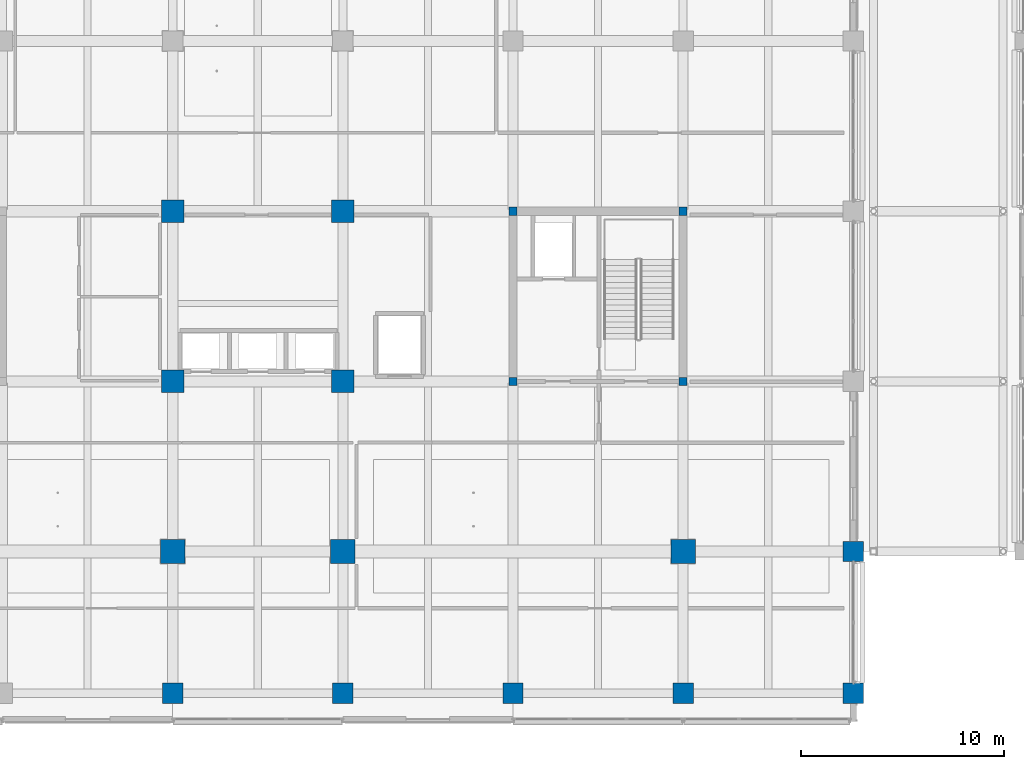
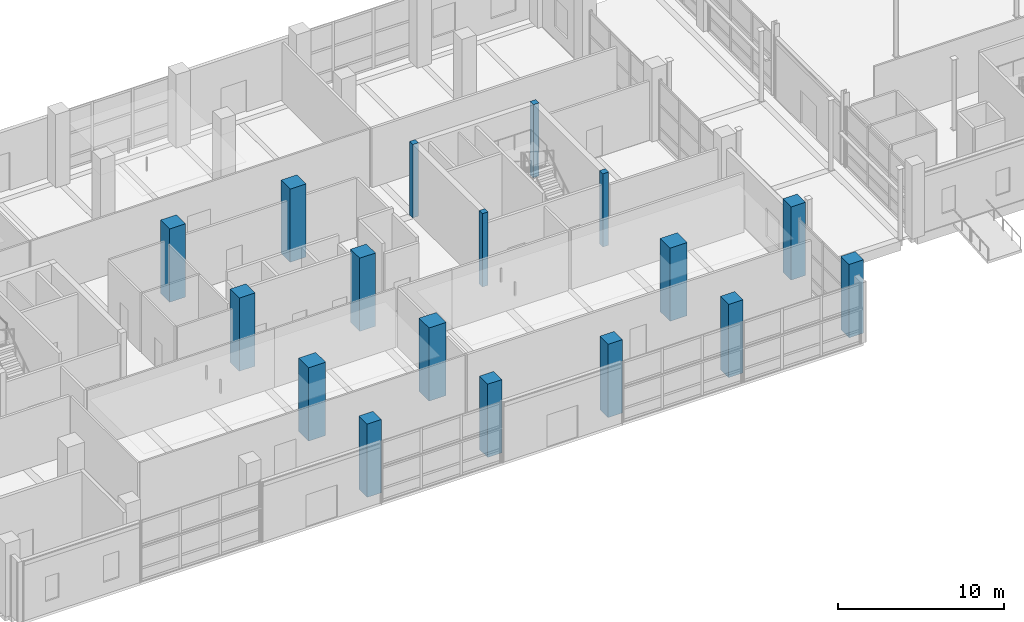
# One storey, part 7 of 140: 17 columns.
"""IFC4 building model written with IfcOpenShell, lengths in metres."""

from ifc_helpers import new_model, si_unit, direction, frame, origin, origin_2d, place, context, subcontext, project, spatial, rectangle, extrude, material, material_profile, profile_set, type_object, element, save


model = new_model("IFC4")

# Units and contexts
model_context = context("Model", 3, precision=1e-05, world=origin(), true_north=direction((0.0, 1.0)))
body_context = subcontext(model_context, "Body", "Model", "MODEL_VIEW")
ifc_project = project(units=[si_unit("LENGTHUNIT", "METRE"), si_unit("AREAUNIT", "SQUARE_METRE"), si_unit("VOLUMEUNIT", "CUBIC_METRE"), si_unit("PLANEANGLEUNIT", "RADIAN"), si_unit("MASSUNIT", "GRAM", prefix="KILO")], contexts=[model_context])

# Site, building, storey
site_placement = place(None, origin())
site = spatial("IfcSite", under=ifc_project, at=site_placement, CompositionType="ELEMENT")
building_placement = place(site_placement, origin())
building = spatial("IfcBuilding", under=site, at=building_placement, Name="Telukmera Botanical Conservatory", CompositionType="ELEMENT")
storey_placement = place(building_placement, origin())
storey = spatial("IfcBuildingStorey", under=building, at=storey_placement, Name="L00", CompositionType="ELEMENT", Elevation=0.0)

# Columns
ifc_material = material(Name="Concrete C50/60", Category="concrete")
ifc_material_profile_1 = material_profile(ifc_material, rectangle(XDim=1.199951171875, YDim=1.199951171875, at=origin_2d()), Name="RC 1200x1200")
ifc_profile_set_1 = profile_set([ifc_material_profile_1], Name="Concrete C50/60")
column_type_1 = type_object("IfcColumnType", Name="Col_C1", PredefinedType="COLUMN", material=ifc_profile_set_1)
for number, where, z_axis, x_axis, name in (
    (1, (75.60009765625, 17.60009765625, 0.0), (0.0, 0.0, 1.0), (1.0, 0.0, 0.0), "Column V4-L00 (75.6,17.6)"),
    (2, (84.0, 17.60009765625, 0.0), (0.0, 0.0, 1.0), (1.0, 0.0, 0.0), "Column V4-L00 (84.0,17.6)"),
    (3, (100.800048828125, 17.60009765625, 0.0), (0.0, 0.0, 1.0), (1.0, 0.0, 0.0), "Column V4-L00 (100.8,17.6)"),
):
    element("IfcColumn", number, at=place(storey_placement, frame(where, z_axis=z_axis, x_axis=x_axis)), inside=storey, type_object=column_type_1, Name=name, PredefinedType="COLUMN", context=body_context, shape_type="SweptSolid", body=[
        extrude(rectangle(XDim=1.199951171875, YDim=1.199951171875, at=origin_2d()), origin(), (0.0, 0.0, 1.0), 5.39990234375),
    ])
ifc_material_profile_2 = material_profile(ifc_material, rectangle(XDim=0.39990234375, YDim=0.39990234375, at=origin_2d()), Name="RC 400x400")
ifc_profile_set_2 = profile_set([ifc_material_profile_2], Name="Concrete C50/60")
column_type_2 = type_object("IfcColumnType", Name="Col_C14", PredefinedType="COLUMN", material=ifc_profile_set_2)
for number, where, z_axis, x_axis, name in (
    (4, (92.39990234375, 26.0, 0.0), (0.0, 0.0, 1.0), (1.0, 0.0, 0.0), "Column V4-L00 (92.4,26.0)"),
    (5, (92.39990234375, 34.39990234375, 0.0), (0.0, 0.0, 1.0), (1.0, 0.0, 0.0), "Column V4-L00 (92.4,34.4)"),
    (6, (100.800048828125, 26.0, 0.0), (0.0, 0.0, 1.0), (1.0, 0.0, 0.0), "Column V4-L00 (100.8,26.0)"),
    (7, (100.800048828125, 34.39990234375, 0.0), (0.0, 0.0, 1.0), (1.0, 0.0, 0.0), "Column V4-L00 (100.8,34.4)"),
):
    element("IfcColumn", number, at=place(storey_placement, frame(where, z_axis=z_axis, x_axis=x_axis)), inside=storey, type_object=column_type_2, Name=name, PredefinedType="COLUMN", context=body_context, shape_type="SweptSolid", body=[
        extrude(rectangle(XDim=0.39990234375, YDim=0.39990234375, at=origin_2d()), origin(), (0.0, 0.0, 1.0), 5.39990234375),
    ])
ifc_material_profile_3 = material_profile(ifc_material, rectangle(XDim=1.10009765625, YDim=1.10009765625, at=origin_2d()), Name="RC 1100x1100")
ifc_profile_set_3 = profile_set([ifc_material_profile_3], Name="Concrete C50/60")
column_type_3 = type_object("IfcColumnType", Name="Col_C2", PredefinedType="COLUMN", material=ifc_profile_set_3)
for number, where, z_axis, x_axis, name in (
    (8, (75.60009765625, 26.0, 0.0), (0.0, 0.0, 1.0), (1.0, 0.0, 0.0), "Column V4-L00 (75.6,26.0)"),
    (9, (75.60009765625, 34.39990234375, 0.0), (0.0, 0.0, 1.0), (1.0, 0.0, 0.0), "Column V4-L00 (75.6,34.4)"),
    (10, (84.0, 26.0, 0.0), (0.0, 0.0, 1.0), (1.0, 0.0, 0.0), "Column V4-L00 (84.0,26.0)"),
    (11, (84.0, 34.39990234375, 0.0), (0.0, 0.0, 1.0), (1.0, 0.0, 0.0), "Column V4-L00 (84.0,34.4)"),
):
    element("IfcColumn", number, at=place(storey_placement, frame(where, z_axis=z_axis, x_axis=x_axis)), inside=storey, type_object=column_type_3, Name=name, PredefinedType="COLUMN", context=body_context, shape_type="SweptSolid", body=[
        extrude(rectangle(XDim=1.10009765625, YDim=1.10009765625, at=origin_2d()), origin(), (0.0, 0.0, 1.0), 5.39990234375),
    ])
ifc_material_profile_4 = material_profile(ifc_material, rectangle(XDim=1.0, YDim=1.0, at=origin_2d()), Name="RC 1000x1000")
ifc_profile_set_4 = profile_set([ifc_material_profile_4], Name="Concrete C50/60")
column_type_4 = type_object("IfcColumnType", Name="Col_C3", PredefinedType="COLUMN", material=ifc_profile_set_4)
for number, where, z_axis, x_axis, name in (
    (12, (75.60009765625, 10.60009765625, 0.0), (0.0, 0.0, 1.0), (1.0, 0.0, 0.0), "Column V4-L00 (75.6,10.6)"),
    (13, (84.0, 10.60009765625, 0.0), (0.0, 0.0, 1.0), (1.0, 0.0, 0.0), "Column V4-L00 (84.0,10.6)"),
    (14, (92.39990234375, 10.60009765625, 0.0), (0.0, 0.0, 1.0), (1.0, 0.0, 0.0), "Column V4-L00 (92.4,10.6)"),
    (15, (100.800048828125, 10.60009765625, 0.0), (0.0, 0.0, 1.0), (1.0, 0.0, 0.0), "Column V4-L00 (100.8,10.6)"),
    (16, (109.199951171875, 10.60009765625, 0.0), (0.0, 0.0, 1.0), (1.0, 0.0, 0.0), "Column V4-L00 (109.2,10.6)"),
    (17, (109.199951171875, 17.60009765625, 0.0), (0.0, 0.0, 1.0), (1.0, 0.0, 0.0), "Column V4-L00 (109.2,17.6)"),
):
    element("IfcColumn", number, at=place(storey_placement, frame(where, z_axis=z_axis, x_axis=x_axis)), inside=storey, type_object=column_type_4, Name=name, PredefinedType="COLUMN", context=body_context, shape_type="SweptSolid", body=[
        extrude(rectangle(XDim=1.0, YDim=1.0, at=origin_2d()), origin(), (0.0, 0.0, 1.0), 5.39990234375),
    ])

save(model, "model.ifc")
